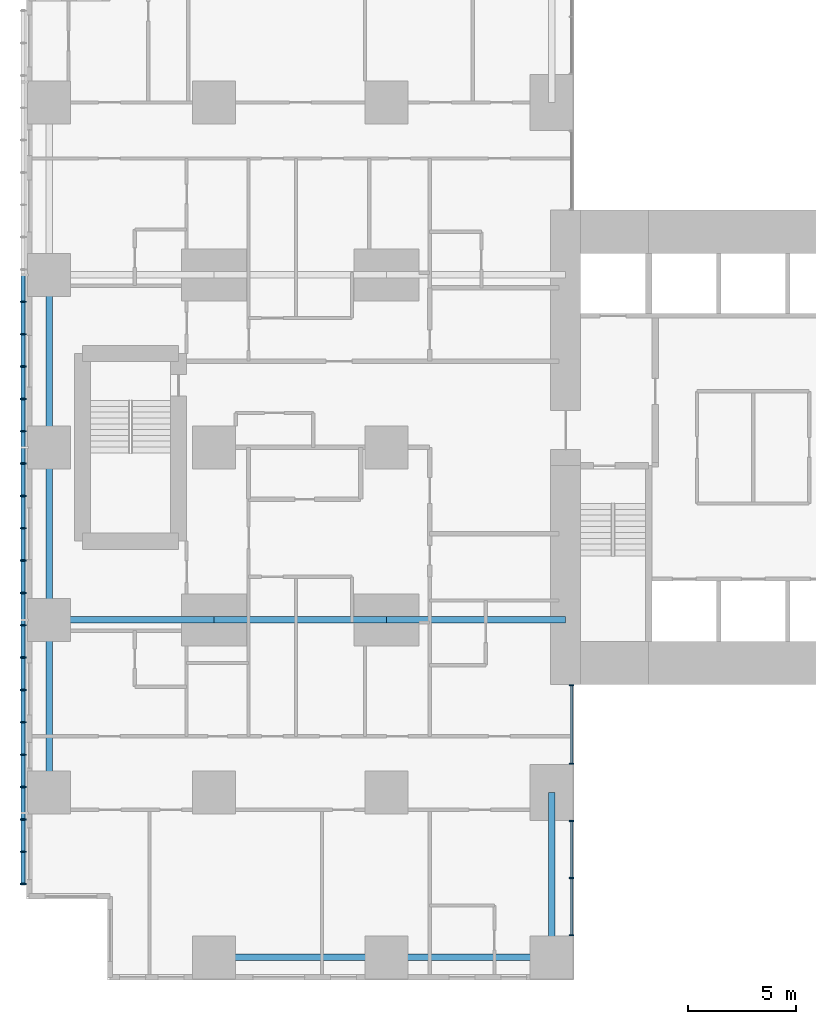
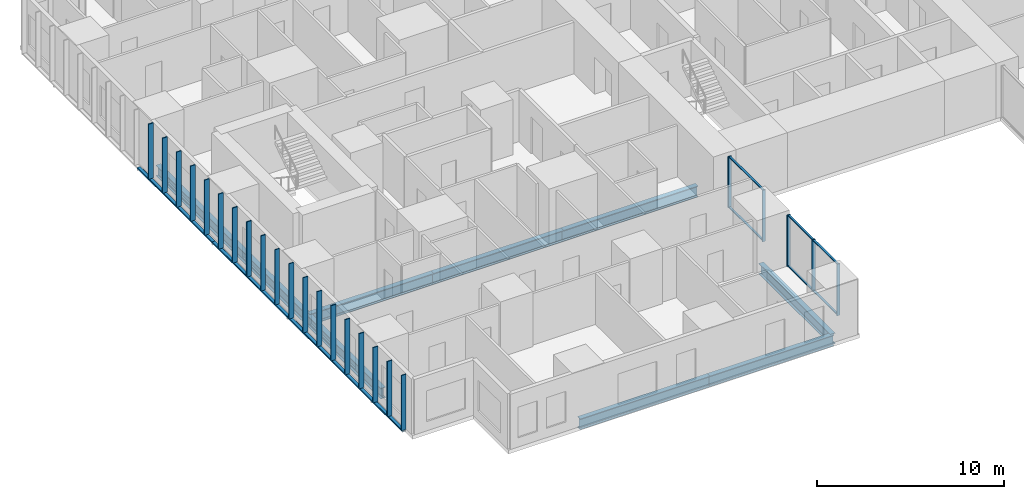
# One storey, part 2 of 21: 33 members, 9 beams, 2 elements without a shape of their own.
"""IFC4 building model written with IfcOpenShell, lengths in metres."""

from ifc_helpers import new_model, si_unit, direction, frame, origin, origin_2d, place, context, subcontext, project, spatial, rectangle, hollow_rectangle, i_section, extrude, material, layer, layer_set, material_profile, profile_set, type_object, element, aggregate, save


model = new_model("IFC4")

# Units and contexts
model_context = context("Model", 3, precision=1e-05, world=origin(), true_north=direction((0.0, 1.0)))
body_context = subcontext(model_context, "Body", "Model", "MODEL_VIEW")
ifc_project = project(units=[si_unit("LENGTHUNIT", "METRE"), si_unit("AREAUNIT", "SQUARE_METRE"), si_unit("VOLUMEUNIT", "CUBIC_METRE"), si_unit("PLANEANGLEUNIT", "RADIAN"), si_unit("MASSUNIT", "GRAM", prefix="KILO")], contexts=[model_context])

# Site, building, storey
site_placement = place(None, origin())
site = spatial("IfcSite", under=ifc_project, at=site_placement, CompositionType="ELEMENT")
building_placement = place(site_placement, origin())
building = spatial("IfcBuilding", under=site, at=building_placement, Name="Cleftline Residences", CompositionType="ELEMENT")
storey_placement = place(building_placement, frame((0.0, 0.0, 65.60009765625)))
storey = spatial("IfcBuildingStorey", under=building, at=storey_placement, Name="L16", CompositionType="ELEMENT", Elevation=65.60009765625)

# Members
ifc_material_1 = material(Name="Steel S355, hot-dip galvanised", Category="steel")
ifc_material_profile_1 = material_profile(ifc_material_1, hollow_rectangle(XDim=0.10009765625, YDim=0.199951171875, WallThickness=0.008056640625, InnerFilletRadius=0.008056640625, OuterFilletRadius=0.011962890625, at=origin_2d()))
ifc_profile_set_1 = profile_set([ifc_material_profile_1], Name="Steel S355, hot-dip galvanised")
member_type_1 = type_object("IfcMemberType", Name="BAGUETTE CARRIER RHS 200X100X8", PredefinedType="USERDEFINED", material=ifc_profile_set_1)
for number, where, z_axis, x_axis, name in (
    (1, (-0.85009765625, 32.0, -0.050048828125), (0.0, -1.0, 0.0), (0.0, 0.0, 1.0), "Baguette carrier"),
    (2, (-0.85009765625, 24.0, -0.050048828125), (0.0, -1.0, 0.0), (0.0, 0.0, 1.0), "Baguette carrier"),
):
    element("IfcMember", number, at=place(storey_placement, frame(where, z_axis=z_axis, x_axis=x_axis)), inside=storey, type_object=member_type_1, Name=name, ObjectType="BAGUETTE CARRIER", PredefinedType="USERDEFINED", context=body_context, shape_type="SweptSolid", body=[
        extrude(hollow_rectangle(XDim=0.10009765625, YDim=0.199951171875, WallThickness=0.008056640625, InnerFilletRadius=0.008056640625, OuterFilletRadius=0.011962890625, at=origin_2d()), origin(), (0.0, 0.0, 1.0), 8.0),
    ])
member_1_placement = place(storey_placement, frame((-0.85009765625, 16.0, -0.050048828125), z_axis=(0.0, -1.0, 0.0), x_axis=(0.0, 0.0, 1.0)))
element("IfcMember", 3, at=member_1_placement, inside=storey, type_object=member_type_1, Name="Baguette carrier", ObjectType="BAGUETTE CARRIER", PredefinedType="USERDEFINED", context=body_context, shape_type="SweptSolid", body=[
    extrude(hollow_rectangle(XDim=0.10009765625, YDim=0.199951171875, WallThickness=0.008056640625, InnerFilletRadius=0.008056640625, OuterFilletRadius=0.011962890625, at=origin_2d()), origin(), (0.0, 0.0, 1.0), 12.300048828125),
])

# Beams
ifc_material_2 = material(Name="Steel S355", Category="steel")
ifc_material_profile_2 = material_profile(ifc_material_2, i_section(OverallWidth=0.300048828125, OverallDepth=0.699951171875, WebThickness=0.01708984375, FlangeThickness=0.031982421875, FilletRadius=0.027099609375, at=origin_2d()))
ifc_profile_set_2 = profile_set([ifc_material_profile_2], Name="Steel S355")
beam_type_1 = type_object("IfcBeamType", Name="BEAM HEB 700", PredefinedType="BEAM", material=ifc_profile_set_2)
for number, where, z_axis, x_axis, name in (
    (4, (0.35009765625, 8.0, -0.60009765625), (0.0, 1.0, 0.0), (-1.0, 0.0, 0.0), "Edge beam"),
    (5, (0.35009765625, 16.0, -0.60009765625), (0.0, 1.0, 0.0), (-1.0, 0.0, 0.0), "Edge beam"),
    (6, (0.35009765625, 24.0, -0.60009765625), (0.0, 1.0, 0.0), (-1.0, 0.0, 0.0), "Edge beam"),
    (7, (8.0, 0.35009765625, -0.60009765625), (1.0, 0.0, 0.0), (0.0, 1.0, 0.0), "Edge beam"),
):
    element("IfcBeam", number, at=place(storey_placement, frame(where, z_axis=z_axis, x_axis=x_axis)), inside=storey, type_object=beam_type_1, Name=name, PredefinedType="BEAM", context=body_context, shape_type="SweptSolid", body=[
        extrude(i_section(OverallWidth=0.300048828125, OverallDepth=0.699951171875, WebThickness=0.01708984375, FlangeThickness=0.031982421875, FilletRadius=0.027099609375, at=origin_2d()), origin(), (0.0, 0.0, 1.0), 8.0),
    ])
for number, where, z_axis, x_axis, name in (
    (8, (16.0, 0.35009765625, -0.60009765625), (1.0, 0.0, 0.0), (0.0, 1.0, 0.0), "Edge beam"),
    (9, (23.64990234375, 0.35009765625, -0.60009765625), (0.0, 1.0, 0.0), (-1.0, 0.0, 0.0), "Edge beam"),
):
    element("IfcBeam", number, at=place(storey_placement, frame(where, z_axis=z_axis, x_axis=x_axis)), inside=storey, type_object=beam_type_1, Name=name, PredefinedType="BEAM", context=body_context, shape_type="SweptSolid", body=[
        extrude(i_section(OverallWidth=0.300048828125, OverallDepth=0.699951171875, WebThickness=0.01708984375, FlangeThickness=0.031982421875, FilletRadius=0.027099609375, at=origin_2d()), origin(), (0.0, 0.0, 1.0), 7.64990234375),
    ])
ifc_material_3 = material(Name="Steel S355", Category="steel")
ifc_material_profile_3 = material_profile(ifc_material_3, i_section(OverallWidth=0.303955078125, OverallDepth=0.716064453125, WebThickness=0.02099609375, FlangeThickness=0.0400390625, FilletRadius=0.027099609375, at=origin_2d()))
ifc_profile_set_3 = profile_set([ifc_material_profile_3], Name="Steel S355")
beam_type_2 = type_object("IfcBeamType", Name="BEAM HEM 700", PredefinedType="BEAM", material=ifc_profile_set_3)
beam_1_placement = place(storey_placement, frame((0.35009765625, 16.0, -0.608154296875), z_axis=(1.0, 0.0, 0.0), x_axis=(0.0, 1.0, 0.0)))
element("IfcBeam", 10, at=beam_1_placement, inside=storey, type_object=beam_type_2, Name="Band beam", PredefinedType="BEAM", context=body_context, shape_type="SweptSolid", body=[
    extrude(i_section(OverallWidth=0.303955078125, OverallDepth=0.716064453125, WebThickness=0.02099609375, FlangeThickness=0.0400390625, FilletRadius=0.027099609375, at=origin_2d()), origin(), (0.0, 0.0, 1.0), 7.64990234375),
])
beam_2_placement = place(storey_placement, frame((8.0, 16.0, -0.608154296875), z_axis=(1.0, 0.0, 0.0), x_axis=(0.0, 1.0, 0.0)))
element("IfcBeam", 11, at=beam_2_placement, inside=storey, type_object=beam_type_2, Name="Band beam", PredefinedType="BEAM", context=body_context, shape_type="SweptSolid", body=[
    extrude(i_section(OverallWidth=0.303955078125, OverallDepth=0.716064453125, WebThickness=0.02099609375, FlangeThickness=0.0400390625, FilletRadius=0.027099609375, at=origin_2d()), origin(), (0.0, 0.0, 1.0), 8.0),
])
beam_3_placement = place(storey_placement, frame((16.0, 16.0, -0.608154296875), z_axis=(1.0, 0.0, 0.0), x_axis=(0.0, 1.0, 0.0)))
element("IfcBeam", 12, at=beam_3_placement, inside=storey, type_object=beam_type_2, Name="Band beam", PredefinedType="BEAM", context=body_context, shape_type="SweptSolid", body=[
    extrude(i_section(OverallWidth=0.303955078125, OverallDepth=0.716064453125, WebThickness=0.02099609375, FlangeThickness=0.0400390625, FilletRadius=0.027099609375, at=origin_2d()), origin(), (0.0, 0.0, 1.0), 8.300048828125),
])

# Curtain wall, members
ifc_material_4 = material(Name="Aluminium framed curtain wall", Category="aluminium")
ifc_layer = layer(ifc_material_4, 0.199951171875)
ifc_layer_set = layer_set([ifc_layer], Name="CW1 CLEFT GLAZING")
curtain_wall_type = type_object("IfcCurtainWallType", Name="CW1 CLEFT GLAZING", PredefinedType="NOTDEFINED", material=ifc_layer_set)
curtain_wall_1_placement = place(storey_placement, origin())
curtain_wall_1 = element("IfcCurtainWall", 13, at=curtain_wall_1_placement, inside=storey, type_object=curtain_wall_type, Name="Curtain wall CW1", PredefinedType="NOTDEFINED")
ifc_material_5 = material(Name="Aluminium mullion", Category="aluminium")
ifc_material_profile_4 = material_profile(ifc_material_5, rectangle(XDim=0.199951171875, YDim=0.06005859375, at=origin_2d()))
ifc_profile_set_4 = profile_set([ifc_material_profile_4], Name="Aluminium mullion")
member_type_2 = type_object("IfcMemberType", Name="CW1 MULLION", PredefinedType="MULLION", material=ifc_profile_set_4)
member_2_placement = place(storey_placement, frame((24.574951171875, 1.3798828125, 0.0), z_axis=(0.0, 0.0, 1.0), x_axis=(-1.0, 0.0, 0.0)))
member_2 = element("IfcMember", 14, at=member_2_placement, type_object=member_type_2, Name="CW1 mullion 1", PredefinedType="MULLION", context=body_context, shape_type="SweptSolid", body=[
    extrude(rectangle(XDim=0.199951171875, YDim=0.06005859375, at=origin_2d()), origin(), (0.0, 0.0, 1.0), 3.349853515625),
])
member_3_placement = place(storey_placement, frame((24.574951171875, 4.02490234375, 0.0), z_axis=(0.0, 0.0, 1.0), x_axis=(-1.0, 0.0, 0.0)))
member_3 = element("IfcMember", 15, at=member_3_placement, type_object=member_type_2, Name="CW1 mullion 2", PredefinedType="MULLION", context=body_context, shape_type="SweptSolid", body=[
    extrude(rectangle(XDim=0.199951171875, YDim=0.06005859375, at=origin_2d()), origin(), (0.0, 0.0, 1.0), 3.349853515625),
])
member_4_placement = place(storey_placement, frame((24.574951171875, 6.669921875, 0.0), z_axis=(0.0, 0.0, 1.0), x_axis=(-1.0, 0.0, 0.0)))
member_4 = element("IfcMember", 16, at=member_4_placement, type_object=member_type_2, Name="CW1 mullion 3", PredefinedType="MULLION", context=body_context, shape_type="SweptSolid", body=[
    extrude(rectangle(XDim=0.199951171875, YDim=0.06005859375, at=origin_2d()), origin(), (0.0, 0.0, 1.0), 3.349853515625),
])

curtain_wall_2_placement = place(storey_placement, origin())
curtain_wall_2 = element("IfcCurtainWall", 17, at=curtain_wall_2_placement, inside=storey, type_object=curtain_wall_type, Name="Curtain wall CW1", PredefinedType="NOTDEFINED")
member_5_placement = place(storey_placement, frame((24.574951171875, 9.330078125, 0.0), z_axis=(0.0, 0.0, 1.0), x_axis=(-1.0, 0.0, 0.0)))
member_5 = element("IfcMember", 18, at=member_5_placement, type_object=member_type_2, Name="CW1 mullion 1", PredefinedType="MULLION", context=body_context, shape_type="SweptSolid", body=[
    extrude(rectangle(XDim=0.199951171875, YDim=0.06005859375, at=origin_2d()), origin(), (0.0, 0.0, 1.0), 3.349853515625),
])
member_6_placement = place(storey_placement, frame((24.574951171875, 12.969970703125, 0.0), z_axis=(0.0, 0.0, 1.0), x_axis=(-1.0, 0.0, 0.0)))
member_6 = element("IfcMember", 19, at=member_6_placement, type_object=member_type_2, Name="CW1 mullion 2", PredefinedType="MULLION", context=body_context, shape_type="SweptSolid", body=[
    extrude(rectangle(XDim=0.199951171875, YDim=0.06005859375, at=origin_2d()), origin(), (0.0, 0.0, 1.0), 3.349853515625),
])

# Member
ifc_material_6 = material(Name="Aluminium transom", Category="aluminium")
ifc_material_profile_5 = material_profile(ifc_material_6, rectangle(XDim=0.1201171875, YDim=0.06005859375, at=origin_2d()))
ifc_profile_set_5 = profile_set([ifc_material_profile_5], Name="Aluminium transom")
member_type_3 = type_object("IfcMemberType", Name="CW1 TRANSOM", PredefinedType="USERDEFINED", material=ifc_profile_set_5)
member_7_placement = place(storey_placement, frame((24.574951171875, 1.409912109375, 0.02978515625), z_axis=(0.0, 1.0, 0.0), x_axis=(-1.0, 0.0, 0.0)))
member_7 = element("IfcMember", 20, at=member_7_placement, type_object=member_type_3, Name="CW1 transom 1.1", ObjectType="TRANSOM", PredefinedType="USERDEFINED", context=body_context, shape_type="SweptSolid", body=[
    extrude(rectangle(XDim=0.1201171875, YDim=0.06005859375, at=origin_2d()), origin(), (0.0, 0.0, 1.0), 2.585205078125),
])

member_8_placement = place(storey_placement, frame((24.574951171875, 1.409912109375, 3.31982421875), z_axis=(0.0, 1.0, 0.0), x_axis=(-1.0, 0.0, 0.0)))
member_8 = element("IfcMember", 21, at=member_8_placement, type_object=member_type_3, Name="CW1 transom 1.2", ObjectType="TRANSOM", PredefinedType="USERDEFINED", context=body_context, shape_type="SweptSolid", body=[
    extrude(rectangle(XDim=0.1201171875, YDim=0.06005859375, at=origin_2d()), origin(), (0.0, 0.0, 1.0), 2.585205078125),
])

member_9_placement = place(storey_placement, frame((24.574951171875, 4.054931640625, 0.02978515625), z_axis=(0.0, 1.0, 0.0), x_axis=(-1.0, 0.0, 0.0)))
member_9 = element("IfcMember", 22, at=member_9_placement, type_object=member_type_3, Name="CW1 transom 2.1", ObjectType="TRANSOM", PredefinedType="USERDEFINED", context=body_context, shape_type="SweptSolid", body=[
    extrude(rectangle(XDim=0.1201171875, YDim=0.06005859375, at=origin_2d()), origin(), (0.0, 0.0, 1.0), 2.5849609375),
])

member_10_placement = place(storey_placement, frame((24.574951171875, 4.054931640625, 3.31982421875), z_axis=(0.0, 1.0, 0.0), x_axis=(-1.0, 0.0, 0.0)))
member_10 = element("IfcMember", 23, at=member_10_placement, type_object=member_type_3, Name="CW1 transom 2.2", ObjectType="TRANSOM", PredefinedType="USERDEFINED", context=body_context, shape_type="SweptSolid", body=[
    extrude(rectangle(XDim=0.1201171875, YDim=0.06005859375, at=origin_2d()), origin(), (0.0, 0.0, 1.0), 2.5849609375),
])

aggregate(curtain_wall_1, [member_2, member_3, member_4, member_7, member_8, member_9, member_10])

member_11_placement = place(storey_placement, frame((24.574951171875, 9.360107421875, 0.02978515625), z_axis=(0.0, 1.0, 0.0), x_axis=(-1.0, 0.0, 0.0)))
member_11 = element("IfcMember", 24, at=member_11_placement, type_object=member_type_3, Name="CW1 transom 1.1", ObjectType="TRANSOM", PredefinedType="USERDEFINED", context=body_context, shape_type="SweptSolid", body=[
    extrude(rectangle(XDim=0.1201171875, YDim=0.06005859375, at=origin_2d()), origin(), (0.0, 0.0, 1.0), 3.579833984375),
])

member_12_placement = place(storey_placement, frame((24.574951171875, 9.360107421875, 3.31982421875), z_axis=(0.0, 1.0, 0.0), x_axis=(-1.0, 0.0, 0.0)))
member_12 = element("IfcMember", 25, at=member_12_placement, type_object=member_type_3, Name="CW1 transom 1.2", ObjectType="TRANSOM", PredefinedType="USERDEFINED", context=body_context, shape_type="SweptSolid", body=[
    extrude(rectangle(XDim=0.1201171875, YDim=0.06005859375, at=origin_2d()), origin(), (0.0, 0.0, 1.0), 3.579833984375),
])

aggregate(curtain_wall_2, [member_5, member_6, member_11, member_12])

# Members
ifc_material_7 = material(Name="Extruded terracotta", Category="masonry")
ifc_material_profile_6 = material_profile(ifc_material_7, rectangle(XDim=0.06005859375, YDim=0.300048828125, at=origin_2d()))
ifc_profile_set_6 = profile_set([ifc_material_profile_6], Name="Extruded terracotta")
member_type_4 = type_object("IfcMemberType", Name="TERRACOTTA BAGUETTE 60X300", PredefinedType="USERDEFINED", material=ifc_profile_set_6)
for number, where, z_axis, x_axis, name in (
    (26, (-0.85009765625, 30.75, 0.0), (0.0, 0.0, 1.0), (0.0, 1.0, 0.0), "Terracotta baguette"),
    (27, (-0.85009765625, 29.25, 0.0), (0.0, 0.0, 1.0), (0.0, 1.0, 0.0), "Terracotta baguette"),
    (28, (-0.85009765625, 27.75, 0.0), (0.0, 0.0, 1.0), (0.0, 1.0, 0.0), "Terracotta baguette"),
    (29, (-0.85009765625, 26.25, 0.0), (0.0, 0.0, 1.0), (0.0, 1.0, 0.0), "Terracotta baguette"),
    (30, (-0.85009765625, 24.75, 0.0), (0.0, 0.0, 1.0), (0.0, 1.0, 0.0), "Terracotta baguette"),
    (31, (-0.85009765625, 23.25, 0.0), (0.0, 0.0, 1.0), (0.0, 1.0, 0.0), "Terracotta baguette"),
    (32, (-0.85009765625, 21.75, 0.0), (0.0, 0.0, 1.0), (0.0, 1.0, 0.0), "Terracotta baguette"),
    (33, (-0.85009765625, 20.25, 0.0), (0.0, 0.0, 1.0), (0.0, 1.0, 0.0), "Terracotta baguette"),
    (34, (-0.85009765625, 18.75, 0.0), (0.0, 0.0, 1.0), (0.0, 1.0, 0.0), "Terracotta baguette"),
    (35, (-0.85009765625, 17.25, 0.0), (0.0, 0.0, 1.0), (0.0, 1.0, 0.0), "Terracotta baguette"),
    (36, (-0.85009765625, 15.75, 0.0), (0.0, 0.0, 1.0), (0.0, 1.0, 0.0), "Terracotta baguette"),
    (37, (-0.85009765625, 14.25, 0.0), (0.0, 0.0, 1.0), (0.0, 1.0, 0.0), "Terracotta baguette"),
    (38, (-0.85009765625, 12.75, 0.0), (0.0, 0.0, 1.0), (0.0, 1.0, 0.0), "Terracotta baguette"),
    (39, (-0.85009765625, 11.25, 0.0), (0.0, 0.0, 1.0), (0.0, 1.0, 0.0), "Terracotta baguette"),
    (40, (-0.85009765625, 9.75, 0.0), (0.0, 0.0, 1.0), (0.0, 1.0, 0.0), "Terracotta baguette"),
    (41, (-0.85009765625, 8.25, 0.0), (0.0, 0.0, 1.0), (0.0, 1.0, 0.0), "Terracotta baguette"),
    (42, (-0.85009765625, 6.75, 0.0), (0.0, 0.0, 1.0), (0.0, 1.0, 0.0), "Terracotta baguette"),
    (43, (-0.85009765625, 5.25, 0.0), (0.0, 0.0, 1.0), (0.0, 1.0, 0.0), "Terracotta baguette"),
    (44, (-0.85009765625, 3.75, 0.0), (0.0, 0.0, 1.0), (0.0, 1.0, 0.0), "Terracotta baguette"),
):
    element("IfcMember", number, at=place(storey_placement, frame(where, z_axis=z_axis, x_axis=x_axis)), inside=storey, type_object=member_type_4, Name=name, ObjectType="BAGUETTE", PredefinedType="USERDEFINED", context=body_context, shape_type="SweptSolid", body=[
        extrude(rectangle(XDim=0.06005859375, YDim=0.300048828125, at=origin_2d()), origin(), (0.0, 0.0, 1.0), 3.599853515625),
    ])

save(model, "model.ifc")
